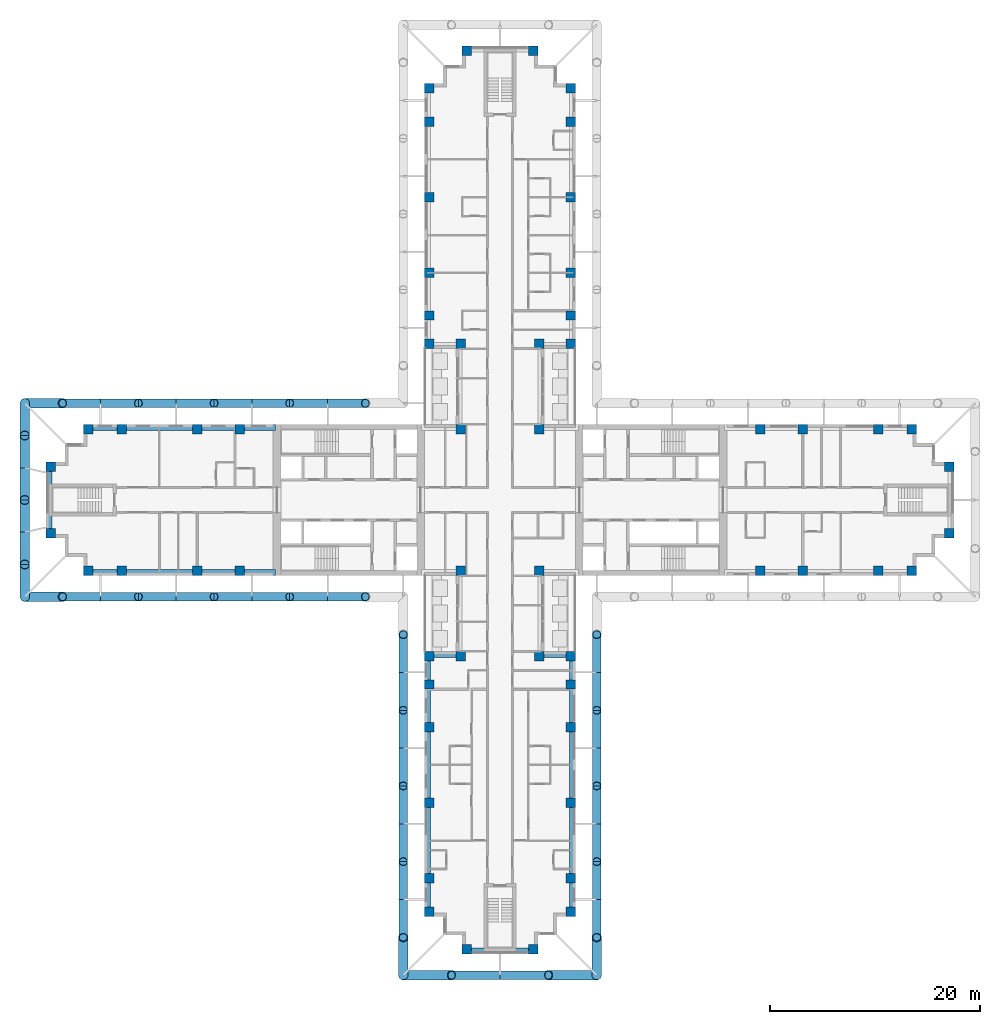
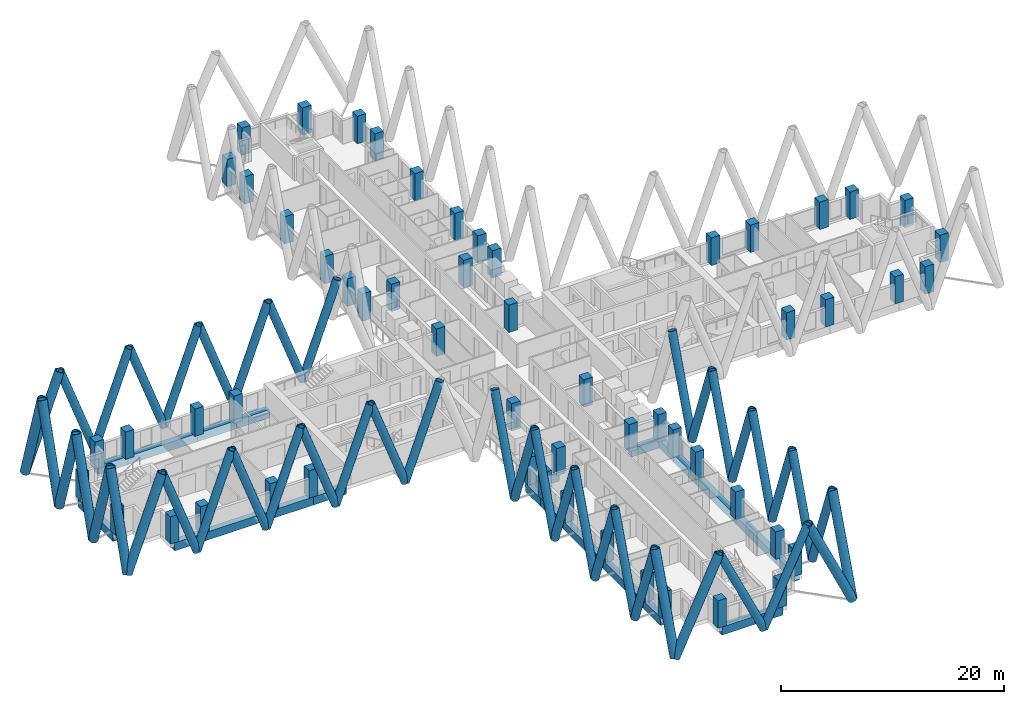
# One storey, part 1 of 17: 56 columns, 46 members, 22 beams.
"""IFC4 building model written with IfcOpenShell, lengths in metres."""

from ifc_helpers import new_model, si_unit, direction, frame, origin, origin_2d, place, context, subcontext, project, spatial, rectangle, hollow_circle, extrude, material, material_profile, profile_set, type_object, element, save


model = new_model("IFC4")

# Units and contexts
model_context = context("Model", 3, precision=1e-05, world=origin(), true_north=direction((0.0, 1.0)))
body_context = subcontext(model_context, "Body", "Model", "MODEL_VIEW")
ifc_project = project(units=[si_unit("LENGTHUNIT", "METRE"), si_unit("AREAUNIT", "SQUARE_METRE"), si_unit("VOLUMEUNIT", "CUBIC_METRE"), si_unit("PLANEANGLEUNIT", "RADIAN"), si_unit("MASSUNIT", "GRAM", prefix="KILO")], contexts=[model_context])

# Site, building, storey
site_placement = place(None, origin())
site = spatial("IfcSite", under=ifc_project, at=site_placement, CompositionType="ELEMENT")
building_placement = place(site_placement, origin())
building = spatial("IfcBuilding", under=site, at=building_placement, Name="Fustian Cross Tower", CompositionType="ELEMENT")
storey_placement = place(building_placement, frame((0.0, 0.0, 56.699951171875)))
storey = spatial("IfcBuildingStorey", under=building, at=storey_placement, Name="L17", CompositionType="ELEMENT", Elevation=56.699951171875)

# Columns
ifc_material_1 = material(Name="Concrete C70/85", Category="concrete")
ifc_material_profile_1 = material_profile(ifc_material_1, rectangle(XDim=0.89990234375, YDim=0.89990234375, at=origin_2d()), Name="RC 900x900")
ifc_profile_set_1 = profile_set([ifc_material_profile_1], Name="Concrete C70/85")
column_type = type_object("IfcColumnType", Name="COLUMN RC 900x900 C70/85", PredefinedType="COLUMN", material=ifc_profile_set_1)
for number, where, z_axis, x_axis, name in (
    (1, (-42.75, -3.14990234375, 0.0), (0.0, 0.0, 1.0), (1.0, 0.0, 0.0), "COLUMN 001"),
    (2, (-42.75, 3.14990234375, 0.0), (0.0, 0.0, 1.0), (1.0, 0.0, 0.0), "COLUMN 002"),
    (3, (-39.14990234375, -6.75, 0.0), (0.0, 0.0, 1.0), (1.0, 0.0, 0.0), "COLUMN 003"),
    (4, (-39.14990234375, 6.75, 0.0), (0.0, 0.0, 1.0), (1.0, 0.0, 0.0), "COLUMN 004"),
    (5, (-36.0, -6.75, 0.0), (0.0, 0.0, 1.0), (1.0, 0.0, 0.0), "COLUMN 005"),
    (6, (-36.0, 6.75, 0.0), (0.0, 0.0, 1.0), (1.0, 0.0, 0.0), "COLUMN 006"),
    (7, (-28.800048828125, -6.75, 0.0), (0.0, 0.0, 1.0), (1.0, 0.0, 0.0), "COLUMN 007"),
    (8, (-28.800048828125, 6.75, 0.0), (0.0, 0.0, 1.0), (1.0, 0.0, 0.0), "COLUMN 010"),
    (9, (-24.75, -6.75, 0.0), (0.0, 0.0, 1.0), (1.0, 0.0, 0.0), "COLUMN 011"),
    (10, (-24.75, 6.75, 0.0), (0.0, 0.0, 1.0), (1.0, 0.0, 0.0), "COLUMN 012"),
    (11, (-6.75, -39.14990234375, 0.0), (0.0, 0.0, 1.0), (1.0, 0.0, 0.0), "COLUMN 013"),
    (12, (-6.75, -36.0, 0.0), (0.0, 0.0, 1.0), (1.0, 0.0, 0.0), "COLUMN 014"),
    (13, (-6.75, -28.800048828125, 0.0), (0.0, 0.0, 1.0), (1.0, 0.0, 0.0), "COLUMN 015"),
    (14, (-6.75, -21.60009765625, 0.0), (0.0, 0.0, 1.0), (1.0, 0.0, 0.0), "COLUMN 016"),
    (15, (-6.75, -17.550048828125, 0.0), (0.0, 0.0, 1.0), (1.0, 0.0, 0.0), "COLUMN 017"),
    (16, (-6.75, -14.85009765625, 0.0), (0.0, 0.0, 1.0), (1.0, 0.0, 0.0), "COLUMN 018"),
    (17, (-6.75, 14.85009765625, 0.0), (0.0, 0.0, 1.0), (1.0, 0.0, 0.0), "COLUMN 019"),
    (18, (-6.75, 17.550048828125, 0.0), (0.0, 0.0, 1.0), (1.0, 0.0, 0.0), "COLUMN 020"),
    (19, (-6.75, 21.60009765625, 0.0), (0.0, 0.0, 1.0), (1.0, 0.0, 0.0), "COLUMN 021"),
    (20, (-6.75, 28.800048828125, 0.0), (0.0, 0.0, 1.0), (1.0, 0.0, 0.0), "COLUMN 022"),
    (21, (-6.75, 36.0, 0.0), (0.0, 0.0, 1.0), (1.0, 0.0, 0.0), "COLUMN 023"),
    (22, (-6.75, 39.14990234375, 0.0), (0.0, 0.0, 1.0), (1.0, 0.0, 0.0), "COLUMN 024"),
    (23, (-3.75, -14.85009765625, 0.0), (0.0, 0.0, 1.0), (1.0, 0.0, 0.0), "COLUMN 025"),
    (24, (-3.75, -6.75, 0.0), (0.0, 0.0, 1.0), (1.0, 0.0, 0.0), "COLUMN 026"),
    (25, (-3.75, 6.75, 0.0), (0.0, 0.0, 1.0), (1.0, 0.0, 0.0), "COLUMN 027"),
    (26, (-3.75, 14.85009765625, 0.0), (0.0, 0.0, 1.0), (1.0, 0.0, 0.0), "COLUMN 028"),
    (27, (-3.14990234375, -42.75, 0.0), (0.0, 0.0, 1.0), (1.0, 0.0, 0.0), "COLUMN 029"),
    (28, (-3.14990234375, 42.75, 0.0), (0.0, 0.0, 1.0), (1.0, 0.0, 0.0), "COLUMN 032"),
    (29, (3.14990234375, -42.75, 0.0), (0.0, 0.0, 1.0), (1.0, 0.0, 0.0), "COLUMN 033"),
    (30, (3.14990234375, 42.75, 0.0), (0.0, 0.0, 1.0), (1.0, 0.0, 0.0), "COLUMN 036"),
    (31, (3.75, -14.85009765625, 0.0), (0.0, 0.0, 1.0), (1.0, 0.0, 0.0), "COLUMN 037"),
    (32, (3.75, -6.75, 0.0), (0.0, 0.0, 1.0), (1.0, 0.0, 0.0), "COLUMN 038"),
    (33, (3.75, 6.75, 0.0), (0.0, 0.0, 1.0), (1.0, 0.0, 0.0), "COLUMN 039"),
    (34, (3.75, 14.85009765625, 0.0), (0.0, 0.0, 1.0), (1.0, 0.0, 0.0), "COLUMN 040"),
    (35, (6.75, -39.14990234375, 0.0), (0.0, 0.0, 1.0), (1.0, 0.0, 0.0), "COLUMN 041"),
    (36, (6.75, -36.0, 0.0), (0.0, 0.0, 1.0), (1.0, 0.0, 0.0), "COLUMN 042"),
    (37, (6.75, -28.800048828125, 0.0), (0.0, 0.0, 1.0), (1.0, 0.0, 0.0), "COLUMN 043"),
    (38, (6.75, -21.60009765625, 0.0), (0.0, 0.0, 1.0), (1.0, 0.0, 0.0), "COLUMN 044"),
    (39, (6.75, -17.550048828125, 0.0), (0.0, 0.0, 1.0), (1.0, 0.0, 0.0), "COLUMN 045"),
    (40, (6.75, -14.85009765625, 0.0), (0.0, 0.0, 1.0), (1.0, 0.0, 0.0), "COLUMN 046"),
    (41, (6.75, 14.85009765625, 0.0), (0.0, 0.0, 1.0), (1.0, 0.0, 0.0), "COLUMN 047"),
    (42, (6.75, 17.550048828125, 0.0), (0.0, 0.0, 1.0), (1.0, 0.0, 0.0), "COLUMN 048"),
    (43, (6.75, 21.60009765625, 0.0), (0.0, 0.0, 1.0), (1.0, 0.0, 0.0), "COLUMN 049"),
    (44, (6.75, 28.800048828125, 0.0), (0.0, 0.0, 1.0), (1.0, 0.0, 0.0), "COLUMN 050"),
    (45, (6.75, 36.0, 0.0), (0.0, 0.0, 1.0), (1.0, 0.0, 0.0), "COLUMN 051"),
    (46, (6.75, 39.14990234375, 0.0), (0.0, 0.0, 1.0), (1.0, 0.0, 0.0), "COLUMN 052"),
    (47, (24.75, -6.75, 0.0), (0.0, 0.0, 1.0), (1.0, 0.0, 0.0), "COLUMN 053"),
    (48, (24.75, 6.75, 0.0), (0.0, 0.0, 1.0), (1.0, 0.0, 0.0), "COLUMN 054"),
    (49, (28.800048828125, -6.75, 0.0), (0.0, 0.0, 1.0), (1.0, 0.0, 0.0), "COLUMN 055"),
    (50, (28.800048828125, 6.75, 0.0), (0.0, 0.0, 1.0), (1.0, 0.0, 0.0), "COLUMN 058"),
    (51, (36.0, -6.75, 0.0), (0.0, 0.0, 1.0), (1.0, 0.0, 0.0), "COLUMN 059"),
    (52, (36.0, 6.75, 0.0), (0.0, 0.0, 1.0), (1.0, 0.0, 0.0), "COLUMN 060"),
    (53, (39.14990234375, -6.75, 0.0), (0.0, 0.0, 1.0), (1.0, 0.0, 0.0), "COLUMN 061"),
    (54, (39.14990234375, 6.75, 0.0), (0.0, 0.0, 1.0), (1.0, 0.0, 0.0), "COLUMN 062"),
    (55, (42.75, -3.14990234375, 0.0), (0.0, 0.0, 1.0), (1.0, 0.0, 0.0), "COLUMN 063"),
    (56, (42.75, 3.14990234375, 0.0), (0.0, 0.0, 1.0), (1.0, 0.0, 0.0), "COLUMN 064"),
):
    element("IfcColumn", number, at=place(storey_placement, frame(where, z_axis=z_axis, x_axis=x_axis)), inside=storey, type_object=column_type, Name=name, PredefinedType="COLUMN", context=body_context, shape_type="SweptSolid", body=[
        extrude(rectangle(XDim=0.89990234375, YDim=0.89990234375, at=origin_2d()), origin(), (0.0, 0.0, 1.0), 3.0),
    ])

# Members
ifc_material_2 = material(Name="Steel S355", Category="steel")
ifc_material_profile_2 = material_profile(ifc_material_2, hollow_circle(Radius=0.406494140625, WallThickness=0.0400390625, at=origin_2d()), Name="CHS 813x40")
ifc_profile_set_2 = profile_set([ifc_material_profile_2], Name="Steel S355")
member_type_1 = type_object("IfcMemberType", Name="DIAGRID DIAGONAL CHS 813x40", PredefinedType="BRACE", material=ifc_profile_set_2)
member_1_placement = place(storey_placement, frame((-16.39990234375, 9.199951171875, 0.0), z_axis=(0.344803586443, 0.0, 0.938674856793), x_axis=(0.0, 1.0, 0.0)))
element("IfcMember", 57, at=member_1_placement, inside=storey, type_object=member_type_1, Name="Diagrid diagonal W-N 02", PredefinedType="BRACE", context=body_context, shape_type="SweptSolid", body=[
    extrude(hollow_circle(Radius=0.406494140625, WallThickness=0.0400390625, at=origin_2d()), origin(), (0.0, 0.0, 1.0), 10.440185546875),
])
for number, where, z_axis, x_axis, name in (
    (58, (-16.39990234375, 9.199951171875, 0.0), (-0.34482419047, 0.0, 0.938667288056), (0.0, -1.0, 0.0), "Diagrid diagonal W-N 03"),
    (59, (-23.60009765625, 9.199951171875, 0.0), (0.34482419047, 0.0, 0.938667288056), (0.0, 1.0, 0.0), "Diagrid diagonal W-N 04"),
):
    element("IfcMember", number, at=place(storey_placement, frame(where, z_axis=z_axis, x_axis=x_axis)), inside=storey, type_object=member_type_1, Name=name, PredefinedType="BRACE", context=body_context, shape_type="SweptSolid", body=[
        extrude(hollow_circle(Radius=0.406494140625, WallThickness=0.0400390625, at=origin_2d()), origin(), (0.0, 0.0, 1.0), 10.4404296875),
    ])
member_2_placement = place(storey_placement, frame((-23.60009765625, 9.199951171875, 0.0), z_axis=(-0.344803586443, 0.0, 0.938674856793), x_axis=(0.0, -1.0, 0.0)))
element("IfcMember", 60, at=member_2_placement, inside=storey, type_object=member_type_1, Name="Diagrid diagonal W-N 05", PredefinedType="BRACE", context=body_context, shape_type="SweptSolid", body=[
    extrude(hollow_circle(Radius=0.406494140625, WallThickness=0.0400390625, at=origin_2d()), origin(), (0.0, 0.0, 1.0), 10.440185546875),
])
member_3_placement = place(storey_placement, frame((-30.800048828125, 9.199951171875, 0.0), z_axis=(0.34482419047, 0.0, 0.938667288056), x_axis=(0.0, 1.0, 0.0)))
element("IfcMember", 61, at=member_3_placement, inside=storey, type_object=member_type_1, Name="Diagrid diagonal W-N 06", PredefinedType="BRACE", context=body_context, shape_type="SweptSolid", body=[
    extrude(hollow_circle(Radius=0.406494140625, WallThickness=0.0400390625, at=origin_2d()), origin(), (0.0, 0.0, 1.0), 10.4404296875),
])
member_4_placement = place(storey_placement, frame((-30.800048828125, 9.199951171875, 0.0), z_axis=(-0.344803586443, 0.0, 0.938674856793), x_axis=(0.0, -1.0, 0.0)))
element("IfcMember", 62, at=member_4_placement, inside=storey, type_object=member_type_1, Name="Diagrid diagonal W-N 07", PredefinedType="BRACE", context=body_context, shape_type="SweptSolid", body=[
    extrude(hollow_circle(Radius=0.406494140625, WallThickness=0.0400390625, at=origin_2d()), origin(), (0.0, 0.0, 1.0), 10.440185546875),
])
for number, where, z_axis, x_axis, name in (
    (63, (-38.0, 9.199951171875, 0.0), (0.34482419047, 0.0, 0.938667288056), (0.0, 1.0, 0.0), "Diagrid diagonal W-N 08"),
    (64, (-38.0, 9.199951171875, 0.0), (-0.34482419047, 0.0, 0.938667288056), (0.0, -1.0, 0.0), "Diagrid diagonal W-N 09"),
    (65, (-38.0, -9.199951171875, 0.0), (-0.34482419047, 0.0, 0.938667288056), (0.0, -1.0, 0.0), "Diagrid diagonal W-S 02"),
    (66, (-38.0, -9.199951171875, 0.0), (0.34482419047, 0.0, 0.938667288056), (0.0, 1.0, 0.0), "Diagrid diagonal W-S 03"),
):
    element("IfcMember", number, at=place(storey_placement, frame(where, z_axis=z_axis, x_axis=x_axis)), inside=storey, type_object=member_type_1, Name=name, PredefinedType="BRACE", context=body_context, shape_type="SweptSolid", body=[
        extrude(hollow_circle(Radius=0.406494140625, WallThickness=0.0400390625, at=origin_2d()), origin(), (0.0, 0.0, 1.0), 10.4404296875),
    ])
member_5_placement = place(storey_placement, frame((-30.800048828125, -9.199951171875, 0.0), z_axis=(-0.344803586443, 0.0, 0.938674856793), x_axis=(0.0, -1.0, 0.0)))
element("IfcMember", 67, at=member_5_placement, inside=storey, type_object=member_type_1, Name="Diagrid diagonal W-S 04", PredefinedType="BRACE", context=body_context, shape_type="SweptSolid", body=[
    extrude(hollow_circle(Radius=0.406494140625, WallThickness=0.0400390625, at=origin_2d()), origin(), (0.0, 0.0, 1.0), 10.440185546875),
])
member_6_placement = place(storey_placement, frame((-30.800048828125, -9.199951171875, 0.0), z_axis=(0.34482419047, 0.0, 0.938667288056), x_axis=(0.0, 1.0, 0.0)))
element("IfcMember", 68, at=member_6_placement, inside=storey, type_object=member_type_1, Name="Diagrid diagonal W-S 05", PredefinedType="BRACE", context=body_context, shape_type="SweptSolid", body=[
    extrude(hollow_circle(Radius=0.406494140625, WallThickness=0.0400390625, at=origin_2d()), origin(), (0.0, 0.0, 1.0), 10.4404296875),
])
member_7_placement = place(storey_placement, frame((-23.60009765625, -9.199951171875, 0.0), z_axis=(-0.344803586443, 0.0, 0.938674856793), x_axis=(0.0, -1.0, 0.0)))
element("IfcMember", 69, at=member_7_placement, inside=storey, type_object=member_type_1, Name="Diagrid diagonal W-S 06", PredefinedType="BRACE", context=body_context, shape_type="SweptSolid", body=[
    extrude(hollow_circle(Radius=0.406494140625, WallThickness=0.0400390625, at=origin_2d()), origin(), (0.0, 0.0, 1.0), 10.440185546875),
])
for number, where, z_axis, x_axis, name in (
    (70, (-23.60009765625, -9.199951171875, 0.0), (0.34482419047, 0.0, 0.938667288056), (0.0, 1.0, 0.0), "Diagrid diagonal W-S 07"),
    (71, (-16.39990234375, -9.199951171875, 0.0), (-0.34482419047, 0.0, 0.938667288056), (0.0, -1.0, 0.0), "Diagrid diagonal W-S 08"),
):
    element("IfcMember", number, at=place(storey_placement, frame(where, z_axis=z_axis, x_axis=x_axis)), inside=storey, type_object=member_type_1, Name=name, PredefinedType="BRACE", context=body_context, shape_type="SweptSolid", body=[
        extrude(hollow_circle(Radius=0.406494140625, WallThickness=0.0400390625, at=origin_2d()), origin(), (0.0, 0.0, 1.0), 10.4404296875),
    ])
for number, where, z_axis, x_axis, name in (
    (72, (-16.39990234375, -9.199951171875, 0.0), (0.344803586443, 0.0, 0.938674856793), (0.0, 1.0, 0.0), "Diagrid diagonal W-S 09"),
    (73, (-9.199951171875, -16.39990234375, 0.0), (0.0, 0.344803586443, 0.938674856793), (-1.0, 0.0, 0.0), "Diagrid diagonal S-W 02"),
):
    element("IfcMember", number, at=place(storey_placement, frame(where, z_axis=z_axis, x_axis=x_axis)), inside=storey, type_object=member_type_1, Name=name, PredefinedType="BRACE", context=body_context, shape_type="SweptSolid", body=[
        extrude(hollow_circle(Radius=0.406494140625, WallThickness=0.0400390625, at=origin_2d()), origin(), (0.0, 0.0, 1.0), 10.440185546875),
    ])
for number, where, z_axis, x_axis, name in (
    (74, (-9.199951171875, -16.39990234375, 0.0), (0.0, -0.34482419047, 0.938667288056), (1.0, 0.0, 0.0), "Diagrid diagonal S-W 03"),
    (75, (-9.199951171875, -23.60009765625, 0.0), (0.0, 0.34482419047, 0.938667288056), (-1.0, 0.0, 0.0), "Diagrid diagonal S-W 04"),
):
    element("IfcMember", number, at=place(storey_placement, frame(where, z_axis=z_axis, x_axis=x_axis)), inside=storey, type_object=member_type_1, Name=name, PredefinedType="BRACE", context=body_context, shape_type="SweptSolid", body=[
        extrude(hollow_circle(Radius=0.406494140625, WallThickness=0.0400390625, at=origin_2d()), origin(), (0.0, 0.0, 1.0), 10.4404296875),
    ])
member_8_placement = place(storey_placement, frame((-9.199951171875, -23.60009765625, 0.0), z_axis=(0.0, -0.344803586443, 0.938674856793), x_axis=(1.0, 0.0, 0.0)))
element("IfcMember", 76, at=member_8_placement, inside=storey, type_object=member_type_1, Name="Diagrid diagonal S-W 05", PredefinedType="BRACE", context=body_context, shape_type="SweptSolid", body=[
    extrude(hollow_circle(Radius=0.406494140625, WallThickness=0.0400390625, at=origin_2d()), origin(), (0.0, 0.0, 1.0), 10.440185546875),
])
member_9_placement = place(storey_placement, frame((-9.199951171875, -30.800048828125, 0.0), z_axis=(0.0, 0.34482419047, 0.938667288056), x_axis=(-1.0, 0.0, 0.0)))
element("IfcMember", 77, at=member_9_placement, inside=storey, type_object=member_type_1, Name="Diagrid diagonal S-W 06", PredefinedType="BRACE", context=body_context, shape_type="SweptSolid", body=[
    extrude(hollow_circle(Radius=0.406494140625, WallThickness=0.0400390625, at=origin_2d()), origin(), (0.0, 0.0, 1.0), 10.4404296875),
])
member_10_placement = place(storey_placement, frame((-9.199951171875, -30.800048828125, 0.0), z_axis=(0.0, -0.344803586443, 0.938674856793), x_axis=(1.0, 0.0, 0.0)))
element("IfcMember", 78, at=member_10_placement, inside=storey, type_object=member_type_1, Name="Diagrid diagonal S-W 07", PredefinedType="BRACE", context=body_context, shape_type="SweptSolid", body=[
    extrude(hollow_circle(Radius=0.406494140625, WallThickness=0.0400390625, at=origin_2d()), origin(), (0.0, 0.0, 1.0), 10.440185546875),
])
for number, where, z_axis, x_axis, name in (
    (79, (-9.199951171875, -38.0, 0.0), (0.0, 0.34482419047, 0.938667288056), (-1.0, 0.0, 0.0), "Diagrid diagonal S-W 08"),
    (80, (-9.199951171875, -38.0, 0.0), (0.0, -0.34482419047, 0.938667288056), (1.0, 0.0, 0.0), "Diagrid diagonal S-W 09"),
):
    element("IfcMember", number, at=place(storey_placement, frame(where, z_axis=z_axis, x_axis=x_axis)), inside=storey, type_object=member_type_1, Name=name, PredefinedType="BRACE", context=body_context, shape_type="SweptSolid", body=[
        extrude(hollow_circle(Radius=0.406494140625, WallThickness=0.0400390625, at=origin_2d()), origin(), (0.0, 0.0, 1.0), 10.4404296875),
    ])
for number, where, z_axis, x_axis, name in (
    (81, (0.0, -45.199951171875, 0.0), (-0.424912794088, 0.0, 0.90523428869), (0.0, -1.0, 0.0), "Diagrid diagonal S-end 02"),
    (82, (0.0, -45.199951171875, 0.0), (0.424912794088, 0.0, 0.90523428869), (0.0, 1.0, 0.0), "Diagrid diagonal S-end 03"),
):
    element("IfcMember", number, at=place(storey_placement, frame(where, z_axis=z_axis, x_axis=x_axis)), inside=storey, type_object=member_type_1, Name=name, PredefinedType="BRACE", context=body_context, shape_type="SweptSolid", body=[
        extrude(hollow_circle(Radius=0.406494140625, WallThickness=0.0400390625, at=origin_2d()), origin(), (0.0, 0.0, 1.0), 10.825927734375),
    ])
for number, where, z_axis, x_axis, name in (
    (83, (9.199951171875, -38.0, 0.0), (0.0, -0.34482419047, 0.938667288056), (1.0, 0.0, 0.0), "Diagrid diagonal S-E 02"),
    (84, (9.199951171875, -38.0, 0.0), (0.0, 0.34482419047, 0.938667288056), (-1.0, 0.0, 0.0), "Diagrid diagonal S-E 03"),
):
    element("IfcMember", number, at=place(storey_placement, frame(where, z_axis=z_axis, x_axis=x_axis)), inside=storey, type_object=member_type_1, Name=name, PredefinedType="BRACE", context=body_context, shape_type="SweptSolid", body=[
        extrude(hollow_circle(Radius=0.406494140625, WallThickness=0.0400390625, at=origin_2d()), origin(), (0.0, 0.0, 1.0), 10.4404296875),
    ])
member_11_placement = place(storey_placement, frame((9.199951171875, -30.800048828125, 0.0), z_axis=(0.0, -0.344803586443, 0.938674856793), x_axis=(1.0, 0.0, 0.0)))
element("IfcMember", 85, at=member_11_placement, inside=storey, type_object=member_type_1, Name="Diagrid diagonal S-E 04", PredefinedType="BRACE", context=body_context, shape_type="SweptSolid", body=[
    extrude(hollow_circle(Radius=0.406494140625, WallThickness=0.0400390625, at=origin_2d()), origin(), (0.0, 0.0, 1.0), 10.440185546875),
])
member_12_placement = place(storey_placement, frame((9.199951171875, -30.800048828125, 0.0), z_axis=(0.0, 0.34482419047, 0.938667288056), x_axis=(-1.0, 0.0, 0.0)))
element("IfcMember", 86, at=member_12_placement, inside=storey, type_object=member_type_1, Name="Diagrid diagonal S-E 05", PredefinedType="BRACE", context=body_context, shape_type="SweptSolid", body=[
    extrude(hollow_circle(Radius=0.406494140625, WallThickness=0.0400390625, at=origin_2d()), origin(), (0.0, 0.0, 1.0), 10.4404296875),
])
member_13_placement = place(storey_placement, frame((9.199951171875, -23.60009765625, 0.0), z_axis=(0.0, -0.344803586443, 0.938674856793), x_axis=(1.0, 0.0, 0.0)))
element("IfcMember", 87, at=member_13_placement, inside=storey, type_object=member_type_1, Name="Diagrid diagonal S-E 06", PredefinedType="BRACE", context=body_context, shape_type="SweptSolid", body=[
    extrude(hollow_circle(Radius=0.406494140625, WallThickness=0.0400390625, at=origin_2d()), origin(), (0.0, 0.0, 1.0), 10.440185546875),
])
for number, where, z_axis, x_axis, name in (
    (88, (9.199951171875, -23.60009765625, 0.0), (0.0, 0.34482419047, 0.938667288056), (-1.0, 0.0, 0.0), "Diagrid diagonal S-E 07"),
    (89, (9.199951171875, -16.39990234375, 0.0), (0.0, -0.34482419047, 0.938667288056), (1.0, 0.0, 0.0), "Diagrid diagonal S-E 08"),
):
    element("IfcMember", number, at=place(storey_placement, frame(where, z_axis=z_axis, x_axis=x_axis)), inside=storey, type_object=member_type_1, Name=name, PredefinedType="BRACE", context=body_context, shape_type="SweptSolid", body=[
        extrude(hollow_circle(Radius=0.406494140625, WallThickness=0.0400390625, at=origin_2d()), origin(), (0.0, 0.0, 1.0), 10.4404296875),
    ])
member_14_placement = place(storey_placement, frame((9.199951171875, -16.39990234375, 0.0), z_axis=(0.0, 0.344803586443, 0.938674856793), x_axis=(-1.0, 0.0, 0.0)))
element("IfcMember", 90, at=member_14_placement, inside=storey, type_object=member_type_1, Name="Diagrid diagonal S-E 09", PredefinedType="BRACE", context=body_context, shape_type="SweptSolid", body=[
    extrude(hollow_circle(Radius=0.406494140625, WallThickness=0.0400390625, at=origin_2d()), origin(), (0.0, 0.0, 1.0), 10.440185546875),
])
ifc_material_3 = material(Name="Steel S355", Category="steel")
ifc_material_profile_3 = material_profile(ifc_material_3, hollow_circle(Radius=0.457275390625, WallThickness=0.050048828125, at=origin_2d()), Name="CHS 914x50")
ifc_profile_set_3 = profile_set([ifc_material_profile_3], Name="Steel S355")
member_type_2 = type_object("IfcMemberType", Name="DIAGRID DIAGONAL CHS 914x50", PredefinedType="BRACE", material=ifc_profile_set_3)
member_15_placement = place(storey_placement, frame((-45.199951171875, 9.199951171875, 0.0), z_axis=(0.344803586443, 0.0, 0.938674856793), x_axis=(0.0, 1.0, 0.0)))
element("IfcMember", 91, at=member_15_placement, inside=storey, type_object=member_type_2, Name="Diagrid diagonal W-N 10", PredefinedType="BRACE", context=body_context, shape_type="SweptSolid", body=[
    extrude(hollow_circle(Radius=0.457275390625, WallThickness=0.050048828125, at=origin_2d()), origin(), (0.0, 0.0, 1.0), 10.440185546875),
])
for number, where, z_axis, x_axis, name in (
    (92, (-45.199951171875, 9.199951171875, 0.0), (0.0, -0.298641838729, 0.954365261397), (1.0, 0.0, 0.0), "Diagrid diagonal W-end 01"),
    (93, (-45.199951171875, 3.066650390625, 0.0), (0.0, 0.298641838729, 0.954365261397), (-1.0, 0.0, 0.0), "Diagrid diagonal W-end 02"),
    (94, (-45.199951171875, 3.066650390625, 0.0), (0.0, -0.298641838729, 0.954365261397), (1.0, 0.0, 0.0), "Diagrid diagonal W-end 03"),
    (95, (-45.199951171875, -3.066650390625, 0.0), (0.0, 0.298641838729, 0.954365261397), (-1.0, 0.0, 0.0), "Diagrid diagonal W-end 04"),
    (96, (-45.199951171875, -3.066650390625, 0.0), (0.0, -0.298641838729, 0.954365261397), (1.0, 0.0, 0.0), "Diagrid diagonal W-end 05"),
    (97, (-45.199951171875, -9.199951171875, 0.0), (0.0, 0.298641838729, 0.954365261397), (-1.0, 0.0, 0.0), "Diagrid diagonal W-end 06"),
):
    element("IfcMember", number, at=place(storey_placement, frame(where, z_axis=z_axis, x_axis=x_axis)), inside=storey, type_object=member_type_2, Name=name, PredefinedType="BRACE", context=body_context, shape_type="SweptSolid", body=[
        extrude(hollow_circle(Radius=0.457275390625, WallThickness=0.050048828125, at=origin_2d()), origin(), (0.0, 0.0, 1.0), 10.2685546875),
    ])
for number, where, z_axis, x_axis, name in (
    (98, (-45.199951171875, -9.199951171875, 0.0), (0.344803586443, 0.0, 0.938674856793), (0.0, 1.0, 0.0), "Diagrid diagonal W-S 01"),
    (99, (-9.199951171875, -45.199951171875, 0.0), (0.0, 0.344803586443, 0.938674856793), (-1.0, 0.0, 0.0), "Diagrid diagonal S-W 10"),
):
    element("IfcMember", number, at=place(storey_placement, frame(where, z_axis=z_axis, x_axis=x_axis)), inside=storey, type_object=member_type_2, Name=name, PredefinedType="BRACE", context=body_context, shape_type="SweptSolid", body=[
        extrude(hollow_circle(Radius=0.457275390625, WallThickness=0.050048828125, at=origin_2d()), origin(), (0.0, 0.0, 1.0), 10.440185546875),
    ])
for number, where, z_axis, x_axis, name in (
    (100, (-9.199951171875, -45.199951171875, 0.0), (0.424894314128, 0.0, 0.905242962868), (0.0, 1.0, 0.0), "Diagrid diagonal S-end 01"),
    (101, (9.199951171875, -45.199951171875, 0.0), (-0.424894314128, 0.0, 0.905242962868), (0.0, -1.0, 0.0), "Diagrid diagonal S-end 04"),
):
    element("IfcMember", number, at=place(storey_placement, frame(where, z_axis=z_axis, x_axis=x_axis)), inside=storey, type_object=member_type_2, Name=name, PredefinedType="BRACE", context=body_context, shape_type="SweptSolid", body=[
        extrude(hollow_circle(Radius=0.457275390625, WallThickness=0.050048828125, at=origin_2d()), origin(), (0.0, 0.0, 1.0), 10.825927734375),
    ])
member_16_placement = place(storey_placement, frame((9.199951171875, -45.199951171875, 0.0), z_axis=(0.0, 0.344803586443, 0.938674856793), x_axis=(-1.0, 0.0, 0.0)))
element("IfcMember", 102, at=member_16_placement, inside=storey, type_object=member_type_2, Name="Diagrid diagonal S-E 01", PredefinedType="BRACE", context=body_context, shape_type="SweptSolid", body=[
    extrude(hollow_circle(Radius=0.457275390625, WallThickness=0.050048828125, at=origin_2d()), origin(), (0.0, 0.0, 1.0), 10.440185546875),
])

# Beams
ifc_material_4 = material(Name="Concrete C50/60", Category="concrete")
ifc_material_profile_4 = material_profile(ifc_material_4, rectangle(XDim=0.60009765625, YDim=0.89990234375, at=origin_2d()), Name="RC 600x900")
ifc_profile_set_4 = profile_set([ifc_material_profile_4], Name="Concrete C50/60")
beam_type = type_object("IfcBeamType", Name="EDGE BEAM RC 600x900 C50/60", PredefinedType="SPANDREL", material=ifc_profile_set_4)
beam_1_placement = place(storey_placement, frame((-21.35009765625, 6.89990234375, -0.449951171875), z_axis=(-1.0, 0.0, 0.0), x_axis=(0.0, -1.0, 0.0)))
element("IfcBeam", 103, at=beam_1_placement, inside=storey, type_object=beam_type, Name="EDGE BEAM L17-27", PredefinedType="SPANDREL", context=body_context, shape_type="SweptSolid", body=[
    extrude(rectangle(XDim=0.60009765625, YDim=0.89990234375, at=origin_2d()), origin(), (0.0, 0.0, 1.0), 3.39990234375),
])
beam_2_placement = place(storey_placement, frame((-24.75, 6.89990234375, -0.449951171875), z_axis=(-1.0, 0.0, 0.0), x_axis=(0.0, -1.0, 0.0)))
element("IfcBeam", 104, at=beam_2_placement, inside=storey, type_object=beam_type, Name="EDGE BEAM L17-28", PredefinedType="SPANDREL", context=body_context, shape_type="SweptSolid", body=[
    extrude(rectangle(XDim=0.60009765625, YDim=0.89990234375, at=origin_2d()), origin(), (0.0, 0.0, 1.0), 4.050048828125),
])
beam_3_placement = place(storey_placement, frame((-28.800048828125, 6.89990234375, -0.449951171875), z_axis=(-1.0, 0.0, 0.0), x_axis=(0.0, -1.0, 0.0)))
element("IfcBeam", 105, at=beam_3_placement, inside=storey, type_object=beam_type, Name="EDGE BEAM L17-29", PredefinedType="SPANDREL", context=body_context, shape_type="SweptSolid", body=[
    extrude(rectangle(XDim=0.60009765625, YDim=0.89990234375, at=origin_2d()), origin(), (0.0, 0.0, 1.0), 7.199951171875),
])
beam_4_placement = place(storey_placement, frame((-36.0, 6.89990234375, -0.449951171875), z_axis=(-1.0, 0.0, 0.0), x_axis=(0.0, -1.0, 0.0)))
element("IfcBeam", 106, at=beam_4_placement, inside=storey, type_object=beam_type, Name="EDGE BEAM L17-30", PredefinedType="SPANDREL", context=body_context, shape_type="SweptSolid", body=[
    extrude(rectangle(XDim=0.60009765625, YDim=0.89990234375, at=origin_2d()), origin(), (0.0, 0.0, 1.0), 3.14990234375),
])
beam_5_placement = place(storey_placement, frame((-42.89990234375, 3.14990234375, -0.449951171875), z_axis=(0.0, -1.0, 0.0), x_axis=(1.0, 0.0, 0.0)))
element("IfcBeam", 107, at=beam_5_placement, inside=storey, type_object=beam_type, Name="EDGE BEAM L17-31", PredefinedType="SPANDREL", context=body_context, shape_type="SweptSolid", body=[
    extrude(rectangle(XDim=0.60009765625, YDim=0.89990234375, at=origin_2d()), origin(), (0.0, 0.0, 1.0), 6.2998046875),
])
beam_6_placement = place(storey_placement, frame((-39.14990234375, -6.89990234375, -0.449951171875), z_axis=(1.0, 0.0, 0.0), x_axis=(0.0, 1.0, 0.0)))
element("IfcBeam", 108, at=beam_6_placement, inside=storey, type_object=beam_type, Name="EDGE BEAM L17-32", PredefinedType="SPANDREL", context=body_context, shape_type="SweptSolid", body=[
    extrude(rectangle(XDim=0.60009765625, YDim=0.89990234375, at=origin_2d()), origin(), (0.0, 0.0, 1.0), 3.14990234375),
])
beam_7_placement = place(storey_placement, frame((-36.0, -6.89990234375, -0.449951171875), z_axis=(1.0, 0.0, 0.0), x_axis=(0.0, 1.0, 0.0)))
element("IfcBeam", 109, at=beam_7_placement, inside=storey, type_object=beam_type, Name="EDGE BEAM L17-33", PredefinedType="SPANDREL", context=body_context, shape_type="SweptSolid", body=[
    extrude(rectangle(XDim=0.60009765625, YDim=0.89990234375, at=origin_2d()), origin(), (0.0, 0.0, 1.0), 7.199951171875),
])
beam_8_placement = place(storey_placement, frame((-28.800048828125, -6.89990234375, -0.449951171875), z_axis=(1.0, 0.0, 0.0), x_axis=(0.0, 1.0, 0.0)))
element("IfcBeam", 110, at=beam_8_placement, inside=storey, type_object=beam_type, Name="EDGE BEAM L17-34", PredefinedType="SPANDREL", context=body_context, shape_type="SweptSolid", body=[
    extrude(rectangle(XDim=0.60009765625, YDim=0.89990234375, at=origin_2d()), origin(), (0.0, 0.0, 1.0), 4.050048828125),
])
beam_9_placement = place(storey_placement, frame((-24.75, -6.89990234375, -0.449951171875), z_axis=(1.0, 0.0, 0.0), x_axis=(0.0, 1.0, 0.0)))
element("IfcBeam", 111, at=beam_9_placement, inside=storey, type_object=beam_type, Name="EDGE BEAM L17-35", PredefinedType="SPANDREL", context=body_context, shape_type="SweptSolid", body=[
    extrude(rectangle(XDim=0.60009765625, YDim=0.89990234375, at=origin_2d()), origin(), (0.0, 0.0, 1.0), 3.39990234375),
])
beam_10_placement = place(storey_placement, frame((-3.75, -14.699951171875, -0.449951171875), z_axis=(-1.0, 0.0, 0.0), x_axis=(0.0, -1.0, 0.0)))
element("IfcBeam", 112, at=beam_10_placement, inside=storey, type_object=beam_type, Name="EDGE BEAM L17-38", PredefinedType="SPANDREL", context=body_context, shape_type="SweptSolid", body=[
    extrude(rectangle(XDim=0.60009765625, YDim=0.89990234375, at=origin_2d()), origin(), (0.0, 0.0, 1.0), 3.0),
])
beam_11_placement = place(storey_placement, frame((-6.89990234375, -14.85009765625, -0.449951171875), z_axis=(0.0, -1.0, 0.0), x_axis=(1.0, 0.0, 0.0)))
element("IfcBeam", 113, at=beam_11_placement, inside=storey, type_object=beam_type, Name="EDGE BEAM L17-39", PredefinedType="SPANDREL", context=body_context, shape_type="SweptSolid", body=[
    extrude(rectangle(XDim=0.60009765625, YDim=0.89990234375, at=origin_2d()), origin(), (0.0, 0.0, 1.0), 2.699951171875),
])
beam_12_placement = place(storey_placement, frame((-6.89990234375, -17.550048828125, -0.449951171875), z_axis=(0.0, -1.0, 0.0), x_axis=(1.0, 0.0, 0.0)))
element("IfcBeam", 114, at=beam_12_placement, inside=storey, type_object=beam_type, Name="EDGE BEAM L17-40", PredefinedType="SPANDREL", context=body_context, shape_type="SweptSolid", body=[
    extrude(rectangle(XDim=0.60009765625, YDim=0.89990234375, at=origin_2d()), origin(), (0.0, 0.0, 1.0), 4.050048828125),
])
for number, where, z_axis, x_axis, name in (
    (115, (-6.89990234375, -21.60009765625, -0.449951171875), (0.0, -1.0, 0.0), (1.0, 0.0, 0.0), "EDGE BEAM L17-41"),
    (116, (-6.89990234375, -28.800048828125, -0.449951171875), (0.0, -1.0, 0.0), (1.0, 0.0, 0.0), "EDGE BEAM L17-42"),
):
    element("IfcBeam", number, at=place(storey_placement, frame(where, z_axis=z_axis, x_axis=x_axis)), inside=storey, type_object=beam_type, Name=name, PredefinedType="SPANDREL", context=body_context, shape_type="SweptSolid", body=[
        extrude(rectangle(XDim=0.60009765625, YDim=0.89990234375, at=origin_2d()), origin(), (0.0, 0.0, 1.0), 7.199951171875),
    ])
beam_13_placement = place(storey_placement, frame((-6.89990234375, -36.0, -0.449951171875), z_axis=(0.0, -1.0, 0.0), x_axis=(1.0, 0.0, 0.0)))
element("IfcBeam", 117, at=beam_13_placement, inside=storey, type_object=beam_type, Name="EDGE BEAM L17-43", PredefinedType="SPANDREL", context=body_context, shape_type="SweptSolid", body=[
    extrude(rectangle(XDim=0.60009765625, YDim=0.89990234375, at=origin_2d()), origin(), (0.0, 0.0, 1.0), 3.14990234375),
])
beam_14_placement = place(storey_placement, frame((-3.14990234375, -42.89990234375, -0.449951171875), z_axis=(1.0, 0.0, 0.0), x_axis=(0.0, 1.0, 0.0)))
element("IfcBeam", 118, at=beam_14_placement, inside=storey, type_object=beam_type, Name="EDGE BEAM L17-44", PredefinedType="SPANDREL", context=body_context, shape_type="SweptSolid", body=[
    extrude(rectangle(XDim=0.60009765625, YDim=0.89990234375, at=origin_2d()), origin(), (0.0, 0.0, 1.0), 6.2998046875),
])
beam_15_placement = place(storey_placement, frame((6.89990234375, -39.14990234375, -0.449951171875), z_axis=(0.0, 1.0, 0.0), x_axis=(-1.0, 0.0, 0.0)))
element("IfcBeam", 119, at=beam_15_placement, inside=storey, type_object=beam_type, Name="EDGE BEAM L17-45", PredefinedType="SPANDREL", context=body_context, shape_type="SweptSolid", body=[
    extrude(rectangle(XDim=0.60009765625, YDim=0.89990234375, at=origin_2d()), origin(), (0.0, 0.0, 1.0), 3.14990234375),
])
for number, where, z_axis, x_axis, name in (
    (120, (6.89990234375, -36.0, -0.449951171875), (0.0, 1.0, 0.0), (-1.0, 0.0, 0.0), "EDGE BEAM L17-46"),
    (121, (6.89990234375, -28.800048828125, -0.449951171875), (0.0, 1.0, 0.0), (-1.0, 0.0, 0.0), "EDGE BEAM L17-47"),
):
    element("IfcBeam", number, at=place(storey_placement, frame(where, z_axis=z_axis, x_axis=x_axis)), inside=storey, type_object=beam_type, Name=name, PredefinedType="SPANDREL", context=body_context, shape_type="SweptSolid", body=[
        extrude(rectangle(XDim=0.60009765625, YDim=0.89990234375, at=origin_2d()), origin(), (0.0, 0.0, 1.0), 7.199951171875),
    ])
beam_16_placement = place(storey_placement, frame((6.89990234375, -21.60009765625, -0.449951171875), z_axis=(0.0, 1.0, 0.0), x_axis=(-1.0, 0.0, 0.0)))
element("IfcBeam", 122, at=beam_16_placement, inside=storey, type_object=beam_type, Name="EDGE BEAM L17-48", PredefinedType="SPANDREL", context=body_context, shape_type="SweptSolid", body=[
    extrude(rectangle(XDim=0.60009765625, YDim=0.89990234375, at=origin_2d()), origin(), (0.0, 0.0, 1.0), 4.050048828125),
])
beam_17_placement = place(storey_placement, frame((6.89990234375, -17.550048828125, -0.449951171875), z_axis=(0.0, 1.0, 0.0), x_axis=(-1.0, 0.0, 0.0)))
element("IfcBeam", 123, at=beam_17_placement, inside=storey, type_object=beam_type, Name="EDGE BEAM L17-49", PredefinedType="SPANDREL", context=body_context, shape_type="SweptSolid", body=[
    extrude(rectangle(XDim=0.60009765625, YDim=0.89990234375, at=origin_2d()), origin(), (0.0, 0.0, 1.0), 2.699951171875),
])
beam_18_placement = place(storey_placement, frame((6.75, -14.699951171875, -0.449951171875), z_axis=(-1.0, 0.0, 0.0), x_axis=(0.0, -1.0, 0.0)))
element("IfcBeam", 124, at=beam_18_placement, inside=storey, type_object=beam_type, Name="EDGE BEAM L17-50", PredefinedType="SPANDREL", context=body_context, shape_type="SweptSolid", body=[
    extrude(rectangle(XDim=0.60009765625, YDim=0.89990234375, at=origin_2d()), origin(), (0.0, 0.0, 1.0), 3.0),
])

save(model, "model.ifc")
